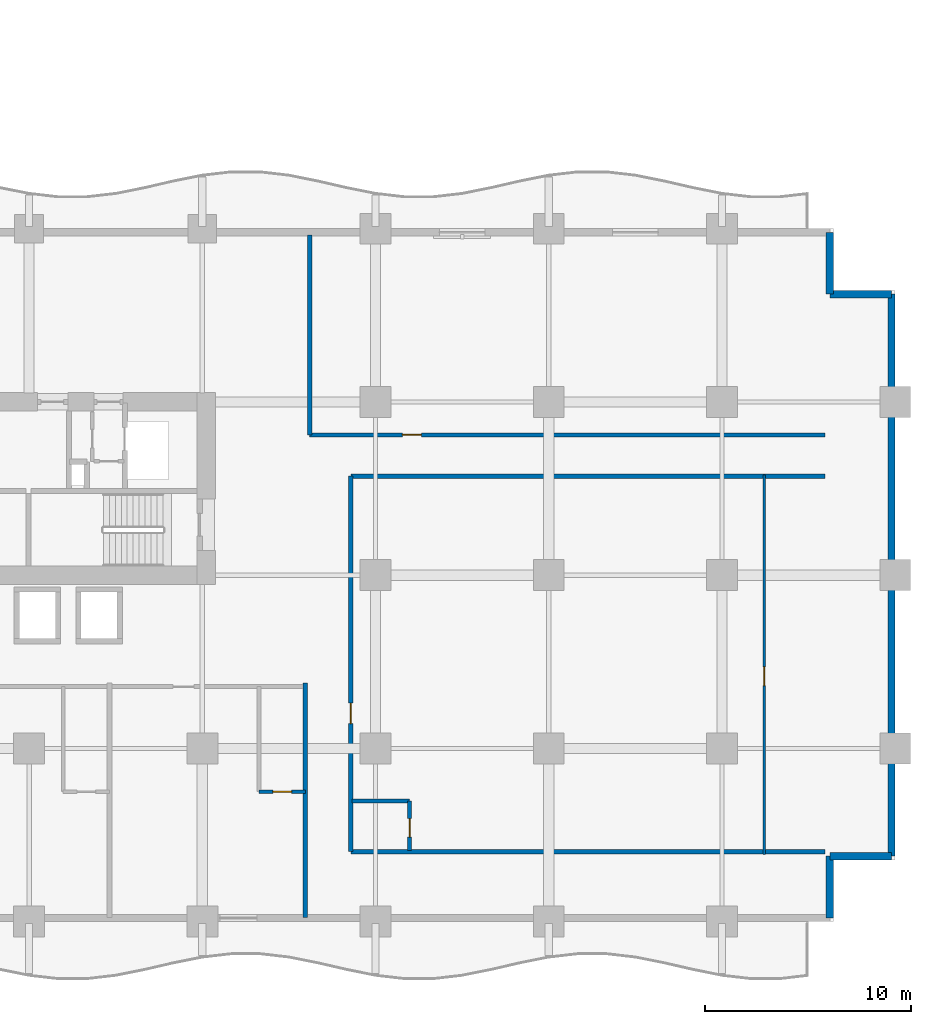
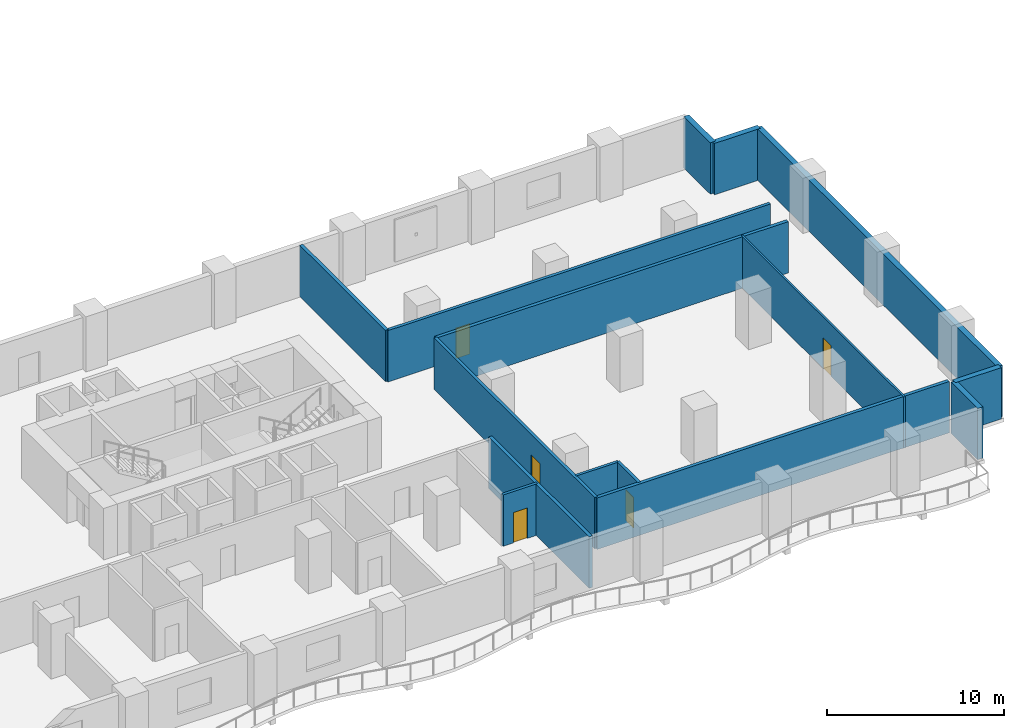
# One storey, part 11 of 20: 15 walls, 5 doors, 5 openings.
"""IFC4 building model written with IfcOpenShell, lengths in metres."""

from ifc_helpers import new_model, si_unit, direction, frame, frame_2d, origin, place, context, subcontext, project, spatial, rectangle, extrude, material, layer, layer_set, type_object, element, fill, save


model = new_model("IFC4")

# Units and contexts
model_context = context("Model", 3, precision=1e-05, world=origin(), true_north=direction((0.0, 1.0)))
body_context = subcontext(model_context, "Body", "Model", "MODEL_VIEW")
ifc_project = project(units=[si_unit("LENGTHUNIT", "METRE"), si_unit("AREAUNIT", "SQUARE_METRE"), si_unit("VOLUMEUNIT", "CUBIC_METRE"), si_unit("PLANEANGLEUNIT", "RADIAN"), si_unit("MASSUNIT", "GRAM", prefix="KILO")], contexts=[model_context])

# Site, building, storey
site_placement = place(None, origin())
site = spatial("IfcSite", under=ifc_project, at=site_placement, CompositionType="ELEMENT")
building_placement = place(site_placement, origin())
building = spatial("IfcBuilding", under=site, at=building_placement, Name="Koriwani Terraces Tower", CompositionType="ELEMENT")
storey_placement = place(building_placement, frame((0.0, 0.0, 58.60009765625)))
storey = spatial("IfcBuildingStorey", under=building, at=storey_placement, Name="L13", CompositionType="ELEMENT", Elevation=58.60009765625)

# Wall, opening, door
ifc_material_1 = material(Name="Autoclaved Cellular Concrete Blockwork", Category="masonry")
ifc_layer_1 = layer(ifc_material_1, 0.199951171875, Name="Autoclaved Cellular Concrete Blockwork")
ifc_layer_set_1 = layer_set([ifc_layer_1], Name="Autoclaved Cellular Concrete Blockwork")
wall_type_1 = type_object("IfcWallType", Name="WALL_CORRIDOR_200", PredefinedType="PARTITIONING", material=ifc_layer_set_1)
wall_1_placement = place(storey_placement, frame((66.0, 3.39990234375, 0.0), z_axis=(0.0, 0.0, 1.0), x_axis=(0.0, 1.0, 0.0)))
wall_1 = element("IfcWall", 1, at=wall_1_placement, inside=storey, type_object=wall_type_1, Name="L13 Interior Wall WGB-L13-ETIP-W", PredefinedType="PARTITIONING", context=body_context, shape_type="SweptSolid", body=[
    extrude(rectangle(XDim=18.2001953125, YDim=0.199951171875, at=frame_2d((9.10009765625, 0.0))), origin(), (0.0, 0.0, 1.0), 3.5498046875),
])
opening_1_placement = place(wall_1_placement, frame((6.199951171875, 0.0, 0.0)))
opening_1 = element("IfcOpeningElement", 2, at=opening_1_placement, cuts=wall_1, Name="Opening D-05", PredefinedType="OPENING", context=body_context, shape_type="SweptSolid", body=[
    extrude(rectangle(XDim=1.0, YDim=2.14990234375, at=frame_2d((0.5, 1.074951171875))), frame((0.0, 0.10986328125, 0.0), z_axis=(0.0, -1.0, 0.0), x_axis=(1.0, 0.0, 0.0)), (0.0, 0.0, 1.0), 0.219970703125),
])
ifc_material_2 = material(Name="Architectural Oak Fire Door", Category="wood")
door_type_1 = type_object("IfcDoorType", Name="DOOR_SUITE_ENTRY_1000X2150", OperationType="NOTDEFINED", PredefinedType="DOOR", material=ifc_material_2)
door_1_placement = place(opening_1_placement, origin())
door_1 = element("IfcDoor", 3, at=door_1_placement, inside=storey, type_object=door_type_1, Name="Ambassador Wing Suite 13E Entrance Door", OperationType="SINGLE_SWING_LEFT", OverallHeight=2.14990234375, OverallWidth=1.0, PredefinedType="DOOR", context=body_context, shape_type="SweptSolid", body=[
    extrude(rectangle(XDim=1.0, YDim=2.14990234375, at=frame_2d((0.5, 1.074951171875))), frame((0.0, 0.02490234375, 0.0), z_axis=(0.0, -1.0, 0.0), x_axis=(1.0, 0.0, 0.0)), (0.0, 0.0, 1.0), 0.050048828125),
])
fill(opening_1, door_1)

wall_2_placement = place(storey_placement, frame((64.0, 23.60009765625, 0.0), z_axis=(0.0, 0.0, 1.0), x_axis=(1.0, 0.0, 0.0)))
wall_2 = element("IfcWall", 4, at=wall_2_placement, inside=storey, type_object=wall_type_1, Name="L13 Interior Wall WETIP2-S-L13", PredefinedType="PARTITIONING", context=body_context, shape_type="SweptSolid", body=[
    extrude(rectangle(XDim=25.0, YDim=0.199951171875, at=frame_2d((12.5, 0.0))), origin(), (0.0, 0.0, 1.0), 3.5498046875),
])
opening_2_placement = place(wall_2_placement, frame((4.5, 0.0, 0.0)))
opening_2 = element("IfcOpeningElement", 5, at=opening_2_placement, cuts=wall_2, Name="Opening D-06", PredefinedType="OPENING", context=body_context, shape_type="SweptSolid", body=[
    extrude(rectangle(XDim=0.919921875, YDim=2.10009765625, at=frame_2d((0.4599609375, 1.050048828125))), frame((0.0, 0.10986328125, 0.0), z_axis=(0.0, -1.0, 0.0), x_axis=(1.0, 0.0, 0.0)), (0.0, 0.0, 1.0), 0.219970703125),
])
door_type_2 = type_object("IfcDoorType", Name="DOOR_ROOM_INT_920X2100", OperationType="NOTDEFINED", PredefinedType="DOOR", material=ifc_material_2)
door_2_placement = place(opening_2_placement, origin())
door_2 = element("IfcDoor", 6, at=door_2_placement, inside=storey, type_object=door_type_2, Name="L13 East Panorama Salon Door", OperationType="SINGLE_SWING_RIGHT", OverallHeight=2.10009765625, OverallWidth=0.919921875, PredefinedType="DOOR", context=body_context, shape_type="SweptSolid", body=[
    extrude(rectangle(XDim=0.919921875, YDim=2.10009765625, at=frame_2d((0.4599609375, 1.050048828125))), frame((0.0, 0.02490234375, 0.0), z_axis=(0.0, -1.0, 0.0), x_axis=(1.0, 0.0, 0.0)), (0.0, 0.0, 1.0), 0.050048828125),
])
fill(opening_2, door_2)

# Walls
ifc_layer_2 = layer(ifc_material_1, 0.219970703125, Name="Autoclaved Cellular Concrete Blockwork")
ifc_layer_set_2 = layer_set([ifc_layer_2], Name="Autoclaved Cellular Concrete Blockwork")
wall_type_2 = type_object("IfcWallType", Name="WALL_DEMISING_220", PredefinedType="PARTITIONING", material=ifc_layer_set_2)
wall_3_placement = place(storey_placement, frame((63.800048828125, 0.199951171875, 0.0), z_axis=(0.0, 0.0, 1.0), x_axis=(0.0, 1.0, 0.0)))
element("IfcWall", 7, at=wall_3_placement, inside=storey, type_object=wall_type_2, Name="L13 Interior Wall WDEME-L13-SW", PredefinedType="PARTITIONING", context=body_context, shape_type="SweptSolid", body=[
    extrude(rectangle(XDim=11.380126953125, YDim=0.219970703125, at=frame_2d((5.68994140625, 0.0))), origin(), (0.0, 0.0, 1.0), 3.5498046875),
])
for number, where, z_axis, x_axis, name in (
    (8, (66.0, 3.39990234375, 0.0), (0.0, 0.0, 1.0), (1.0, 0.0, 0.0), "L13 Interior Wall WGB-L13-ETIP-S"),
    (9, (66.0, 21.60009765625, 0.0), (0.0, 0.0, 1.0), (1.0, 0.0, 0.0), "L13 Interior Wall WGB-L13-ETIP-N"),
):
    element("IfcWall", number, at=place(storey_placement, frame(where, z_axis=z_axis, x_axis=x_axis)), inside=storey, type_object=wall_type_2, Name=name, PredefinedType="PARTITIONING", context=body_context, shape_type="SweptSolid", body=[
        extrude(rectangle(XDim=23.0, YDim=0.219970703125, at=frame_2d((11.5, 0.0))), origin(), (0.0, 0.0, 1.0), 3.5498046875),
    ])
wall_4_placement = place(storey_placement, frame((64.0, 23.60009765625, 0.0), z_axis=(0.0, 0.0, 1.0), x_axis=(0.0, 1.0, 0.0)))
element("IfcWall", 10, at=wall_4_placement, inside=storey, type_object=wall_type_2, Name="L13 Interior Wall WETIP2-W-L13", PredefinedType="PARTITIONING", context=body_context, shape_type="SweptSolid", body=[
    extrude(rectangle(XDim=9.699951171875, YDim=0.219970703125, at=frame_2d((4.85009765625, 0.0))), origin(), (0.0, 0.0, 1.0), 3.5498046875),
])
ifc_material_3 = material(Name="Concrete C50/60", Category="concrete")
ifc_layer_3 = layer(ifc_material_3, 0.35009765625, Name="Concrete C50/60")
ifc_layer_set_3 = layer_set([ifc_layer_3], Name="Concrete C50/60")
wall_type_3 = type_object("IfcWallType", Name="WALL_EXT_BRUTALIST_350", PredefinedType="STANDARD", material=ifc_layer_set_3)
for number, where, z_axis, x_axis, name in (
    (11, (89.22509765625, 33.425048828125, 0.0), (0.0, 0.0, 1.0), (0.0, -1.0, 0.0), "L13 Fair-Faced Brutalist Exterior Wall (N10)"),
    (12, (89.22509765625, 30.425048828125, 0.0), (0.0, 0.0, 1.0), (1.0, 0.0, 0.0), "L13 Fair-Faced Brutalist Exterior Wall (N11)"),
):
    element("IfcWall", number, at=place(storey_placement, frame(where, z_axis=z_axis, x_axis=x_axis)), inside=storey, type_object=wall_type_3, Name=name, PredefinedType="STANDARD", context=body_context, shape_type="SweptSolid", body=[
        extrude(rectangle(XDim=3.0, YDim=0.35009765625, at=frame_2d((1.5, 0.0))), origin(), (0.0, 0.0, 1.0), 3.5498046875),
    ])
wall_5_placement = place(storey_placement, frame((92.22509765625, 30.425048828125, 0.0), z_axis=(0.0, 0.0, 1.0), x_axis=(0.0, -1.0, 0.0)))
element("IfcWall", 13, at=wall_5_placement, inside=storey, type_object=wall_type_3, Name="L13 Fair-Faced Brutalist Exterior Wall (E_TIP)", PredefinedType="STANDARD", context=body_context, shape_type="SweptSolid", body=[
    extrude(rectangle(XDim=27.25, YDim=0.35009765625, at=frame_2d((13.625, 0.0))), origin(), (0.0, 0.0, 1.0), 3.5498046875),
])
for number, where, z_axis, x_axis, name in (
    (14, (92.22509765625, 3.175048828125, 0.0), (0.0, 0.0, 1.0), (-1.0, 0.0, 0.0), "L13 Fair-Faced Brutalist Exterior Wall (N13)"),
    (15, (89.22509765625, 3.175048828125, 0.0), (0.0, 0.0, 1.0), (0.0, -1.0, 0.0), "L13 Fair-Faced Brutalist Exterior Wall (N14)"),
):
    element("IfcWall", number, at=place(storey_placement, frame(where, z_axis=z_axis, x_axis=x_axis)), inside=storey, type_object=wall_type_3, Name=name, PredefinedType="STANDARD", context=body_context, shape_type="SweptSolid", body=[
        extrude(rectangle(XDim=3.0, YDim=0.35009765625, at=frame_2d((1.5, 0.0))), origin(), (0.0, 0.0, 1.0), 3.5498046875),
    ])

# Wall, opening, door
ifc_material_4 = material(Name="Fire-Rated Acoustic Gypsum Partition", Category="masonry")
ifc_layer_4 = layer(ifc_material_4, 0.125, Name="Fire-Rated Acoustic Gypsum Partition")
ifc_layer_set_4 = layer_set([ifc_layer_4], Name="Fire-Rated Acoustic Gypsum Partition")
wall_type_4 = type_object("IfcWallType", Name="WALL_INT_125", PredefinedType="PARTITIONING", material=ifc_layer_set_4)
wall_6_placement = place(storey_placement, frame((86.050048828125, 3.25, 0.0), z_axis=(0.0, 0.0, 1.0), x_axis=(0.0, 1.0, 0.0)))
wall_6 = element("IfcWall", 16, at=wall_6_placement, inside=storey, type_object=wall_type_4, Name="L13 Interior Wall WGB-L13-ETIP-BD", PredefinedType="PARTITIONING", context=body_context, shape_type="SweptSolid", body=[
    extrude(rectangle(XDim=18.39990234375, YDim=0.125, at=frame_2d((9.199951171875, 0.0))), origin(), (0.0, 0.0, 1.0), 3.5498046875),
])
opening_3_placement = place(wall_6_placement, frame((8.18994140625, 0.0, 0.0)))
opening_3 = element("IfcOpeningElement", 17, at=opening_3_placement, cuts=wall_6, Name="Opening D-06", PredefinedType="OPENING", context=body_context, shape_type="SweptSolid", body=[
    extrude(rectangle(XDim=0.919921875, YDim=2.10009765625, at=frame_2d((0.4599609375, 1.050048828125))), frame((0.0, 0.072509765625, 0.0), z_axis=(0.0, -1.0, 0.0), x_axis=(1.0, 0.0, 0.0)), (0.0, 0.0, 1.0), 0.14501953125),
])
door_3_placement = place(opening_3_placement, origin())
door_3 = element("IfcDoor", 18, at=door_3_placement, inside=storey, type_object=door_type_2, Name="Ambassador Wing Suite 13E Master Suite Door", OperationType="SINGLE_SWING_LEFT", OverallHeight=2.10009765625, OverallWidth=0.919921875, PredefinedType="DOOR", context=body_context, shape_type="SweptSolid", body=[
    extrude(rectangle(XDim=0.919921875, YDim=2.10009765625, at=frame_2d((0.4599609375, 1.050048828125))), frame((0.0, 0.02490234375, 0.0), z_axis=(0.0, -1.0, 0.0), x_axis=(1.0, 0.0, 0.0)), (0.0, 0.0, 1.0), 0.050048828125),
])
fill(opening_3, door_3)

ifc_layer_5 = layer(ifc_material_4, 0.179931640625, Name="Fire-Rated Acoustic Gypsum Partition")
ifc_layer_set_5 = layer_set([ifc_layer_5], Name="Fire-Rated Acoustic Gypsum Partition")
wall_type_5 = type_object("IfcWallType", Name="WALL_PLUMBING_180", PredefinedType="PLUMBINGWALL", material=ifc_layer_set_5)
wall_7_placement = place(storey_placement, frame((61.550048828125, 6.300048828125, 0.0), z_axis=(0.0, 0.0, 1.0), x_axis=(1.0, 0.0, 0.0)))
wall_7 = element("IfcWall", 19, at=wall_7_placement, inside=storey, type_object=wall_type_5, Name="L13 Interior Wall WBTH1-L13-SW-4", PredefinedType="PLUMBINGWALL", context=body_context, shape_type="SweptSolid", body=[
    extrude(rectangle(XDim=2.25, YDim=0.179931640625, at=frame_2d((1.125, 0.0))), origin(), (0.0, 0.0, 1.0), 3.5498046875),
])
opening_4_placement = place(wall_7_placement, frame((0.675048828125, 0.0, 0.0)))
opening_4 = element("IfcOpeningElement", 20, at=opening_4_placement, cuts=wall_7, Name="Opening D-07", PredefinedType="OPENING", context=body_context, shape_type="SweptSolid", body=[
    extrude(rectangle(XDim=0.89990234375, YDim=2.10009765625, at=frame_2d((0.449951171875, 1.050048828125))), frame((0.0, 0.10009765625, 0.0), z_axis=(0.0, -1.0, 0.0), x_axis=(1.0, 0.0, 0.0)), (0.0, 0.0, 1.0), 0.199951171875),
])
door_type_3 = type_object("IfcDoorType", Name="DOOR_BATH_INT_900X2100", OperationType="NOTDEFINED", PredefinedType="DOOR", material=ifc_material_2)
door_4_placement = place(opening_4_placement, origin())
door_4 = element("IfcDoor", 21, at=door_4_placement, inside=storey, type_object=door_type_3, Name="En-Suite Bathroom 13SW5 Door", OperationType="SINGLE_SWING_RIGHT", OverallHeight=2.10009765625, OverallWidth=0.89990234375, PredefinedType="DOOR", context=body_context, shape_type="SweptSolid", body=[
    extrude(rectangle(XDim=0.89990234375, YDim=2.10009765625, at=frame_2d((0.449951171875, 1.050048828125))), frame((0.0, 0.02490234375, 0.0), z_axis=(0.0, -1.0, 0.0), x_axis=(1.0, 0.0, 0.0)), (0.0, 0.0, 1.0), 0.050048828125),
])
fill(opening_4, door_4)

wall_8_placement = place(storey_placement, frame((68.85009765625, 3.449951171875, 0.0), z_axis=(0.0, 0.0, 1.0), x_axis=(0.0, 1.0, 0.0)))
wall_8 = element("IfcWall", 22, at=wall_8_placement, inside=storey, type_object=wall_type_5, Name="L13 Interior Wall WGB-L13-ETIP-SVB", PredefinedType="PLUMBINGWALL", context=body_context, shape_type="SweptSolid", body=[
    extrude(rectangle(XDim=2.400146484375, YDim=0.179931640625, at=frame_2d((1.2001953125, 0.0))), origin(), (0.0, 0.0, 1.0), 3.5498046875),
])
opening_5_placement = place(wall_8_placement, frame((0.64990234375, 0.0, 0.0)))
opening_5 = element("IfcOpeningElement", 23, at=opening_5_placement, cuts=wall_8, Name="Opening D-07", PredefinedType="OPENING", context=body_context, shape_type="SweptSolid", body=[
    extrude(rectangle(XDim=0.89990234375, YDim=2.10009765625, at=frame_2d((0.449951171875, 1.050048828125))), frame((0.0, 0.10009765625, 0.0), z_axis=(0.0, -1.0, 0.0), x_axis=(1.0, 0.0, 0.0)), (0.0, 0.0, 1.0), 0.199951171875),
])
door_5_placement = place(opening_5_placement, origin())
door_5 = element("IfcDoor", 24, at=door_5_placement, inside=storey, type_object=door_type_3, Name="Ambassador Wing Suite 13E Bathroom Door", OperationType="SINGLE_SWING_RIGHT", OverallHeight=2.10009765625, OverallWidth=0.89990234375, PredefinedType="DOOR", context=body_context, shape_type="SweptSolid", body=[
    extrude(rectangle(XDim=0.89990234375, YDim=2.10009765625, at=frame_2d((0.449951171875, 1.050048828125))), frame((0.0, 0.02490234375, 0.0), z_axis=(0.0, -1.0, 0.0), x_axis=(1.0, 0.0, 0.0)), (0.0, 0.0, 1.0), 0.050048828125),
])
fill(opening_5, door_5)

# Wall
wall_9_placement = place(storey_placement, frame((66.050048828125, 5.85009765625, 0.0), z_axis=(0.0, 0.0, 1.0), x_axis=(1.0, 0.0, 0.0)))
element("IfcWall", 25, at=wall_9_placement, inside=storey, type_object=wall_type_5, Name="L13 Interior Wall WGB-L13-ETIP-SV2", PredefinedType="PLUMBINGWALL", context=body_context, shape_type="SweptSolid", body=[
    extrude(rectangle(XDim=2.800048828125, YDim=0.179931640625, at=frame_2d((1.39990234375, 0.0))), origin(), (0.0, 0.0, 1.0), 3.5498046875),
])

save(model, "model.ifc")
